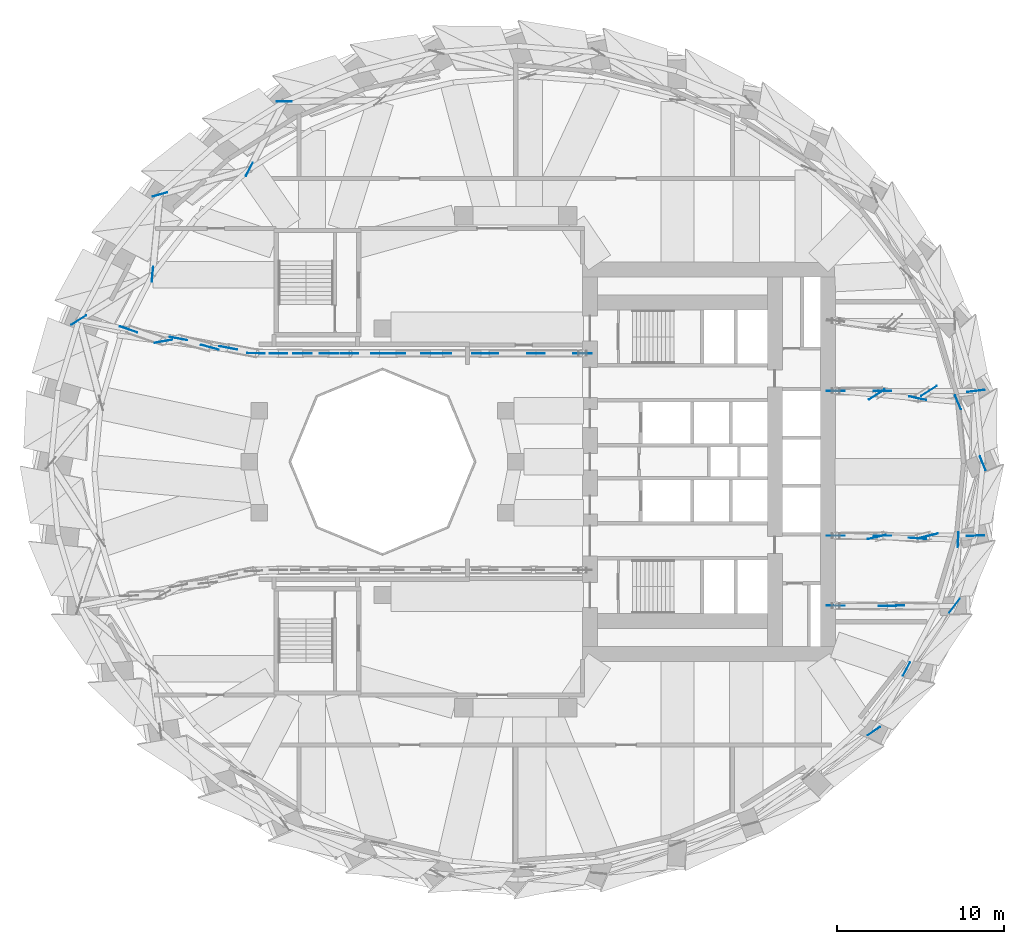
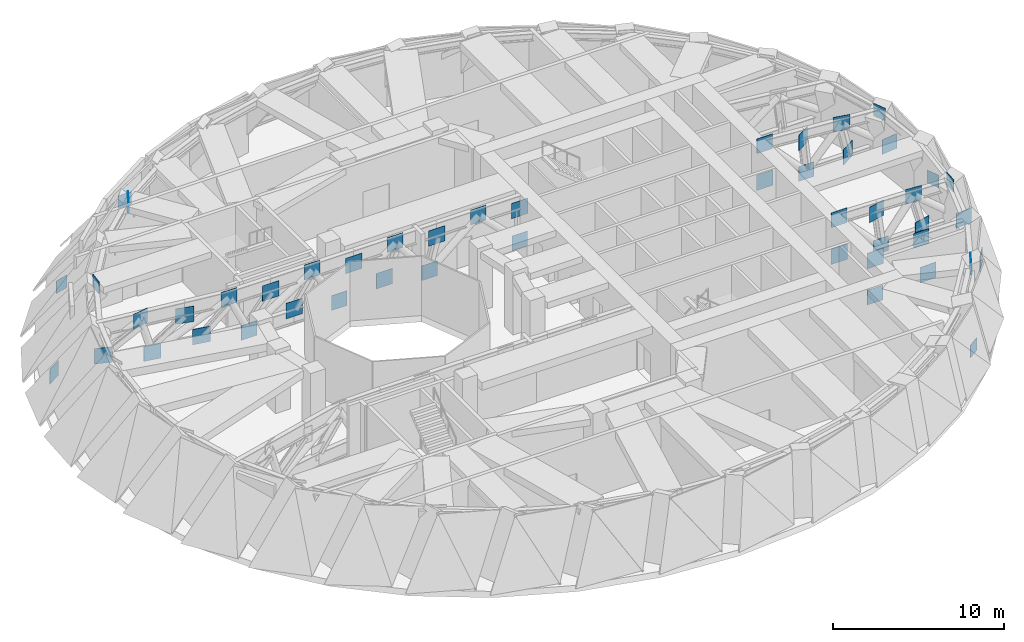
# One storey, part 11 of 15: 48 discrete accessories.
"""IFC4 building model written with IfcOpenShell, lengths in metres."""

import ifcopenshell
import ifcopenshell.guid

model = None  # the IFC model being written
_history = None  # IfcOwnerHistory: only IFC2X3 demands one
_inside = {}  # id of a spatial element -> (the spatial element, [elements in it])
_under = {}  # id of a project, library or spatial element -> (it, [spatial elements below it])
_declared = {}  # id of a project -> (the project, [libraries it declares])
_typed = {}  # id of a type object -> (the type object, [elements of that type])
_made_of = {}  # id of a material, layer set ... -> (it, [elements and type objects made of it])


def new_model(schema):
    """Start an empty IFC model of exactly this schema.

    Asked for "IFC4X3", IfcOpenShell would pick the latest addendum, in which some entities
    have other attributes; the version numbers below select the first issue.
    IFC2X3 requires an IfcOwnerHistory on every rooted entity: one is made here for all.
    """
    global model, _history
    if schema == "IFC4X3":
        model = ifcopenshell.file(schema_version=(4, 3, 0, 0))
    else:
        model = ifcopenshell.file(schema=schema)
    _inside.clear()
    _under.clear()
    _declared.clear()
    _typed.clear()
    _made_of.clear()
    _history = None
    if model.schema == "IFC2X3":
        org = make("IfcOrganization", Name="unknown")
        user = make(
            "IfcPersonAndOrganization",
            ThePerson=make("IfcPerson", FamilyName="unknown"),
            TheOrganization=org,
        )
        app = make(
            "IfcApplication",
            ApplicationDeveloper=org,
            Version="unknown",
            ApplicationFullName="unknown",
            ApplicationIdentifier="unknown",
        )
        _history = make(
            "IfcOwnerHistory",
            OwningUser=user,
            OwningApplication=app,
            ChangeAction="ADDED",
            CreationDate=0,
        )
    return model


def make(cls, **values):
    """One entity of the class cls with the attributes given. An attribute that is None is left unset."""
    return model.create_entity(
        cls, **{name: value for name, value in values.items() if value is not None}
    )


def rooted(cls, **values):
    """An entity with a GlobalId (a new one), such as an element, a storey or a relation."""
    return make(cls, GlobalId=ifcopenshell.guid.new(), OwnerHistory=_history, **values)


def si_unit(unit_type, name, prefix=None):
    """IfcSIUnit, for example si_unit("LENGTHUNIT", "METRE", prefix="MILLI")."""
    return make("IfcSIUnit", UnitType=unit_type, Prefix=prefix, Name=name)


def assignment(units):
    """IfcUnitAssignment: the units of a project."""
    return None if units is None else make("IfcUnitAssignment", Units=units)


def point(xyz):
    """IfcCartesianPoint."""
    return None if xyz is None else make("IfcCartesianPoint", Coordinates=xyz)


def direction(xyz):
    """IfcDirection."""
    return None if xyz is None else make("IfcDirection", DirectionRatios=xyz)


def frame(location, z_axis=None, x_axis=None):
    """IfcAxis2Placement3D, a coordinate frame: its origin and axes. An axis left out is left unset."""
    return make(
        "IfcAxis2Placement3D",
        Location=point(location),
        Axis=direction(z_axis),
        RefDirection=direction(x_axis),
    )


def frame_2d(location, x_axis=None):
    """IfcAxis2Placement2D, a coordinate frame in the plane: its origin and x axis."""
    return make(
        "IfcAxis2Placement2D", Location=point(location), RefDirection=direction(x_axis)
    )


def origin():
    """The frame at (0, 0, 0) with its axes left unset."""
    return frame((0.0, 0.0, 0.0))


def origin_2d():
    """The frame at (0, 0) in the plane with its x axis left unset."""
    return frame_2d((0.0, 0.0))


def place(relative_to, where):
    """IfcLocalPlacement: puts the frame where relative to a parent placement (None: the world)."""
    return make(
        "IfcLocalPlacement", PlacementRelTo=relative_to, RelativePlacement=where
    )


def context(
    kind, dimensions, precision=None, world=None, true_north=None, identifier=None
):
    """IfcGeometricRepresentationContext, for example the 3D "Model" context."""
    return make(
        "IfcGeometricRepresentationContext",
        ContextIdentifier=identifier,
        ContextType=kind,
        CoordinateSpaceDimension=dimensions,
        Precision=precision,
        WorldCoordinateSystem=world,
        TrueNorth=true_north,
    )


def subcontext(parent, identifier, kind, view, scale=None):
    """IfcGeometricRepresentationSubContext, for example "Body" below "Model"."""
    return make(
        "IfcGeometricRepresentationSubContext",
        ContextIdentifier=identifier,
        ContextType=kind,
        ParentContext=parent,
        TargetScale=scale,
        TargetView=view,
    )


def project(units=None, contexts=None):
    """IfcProject with its units and contexts."""
    return rooted(
        "IfcProject",
        Name="project",
        RepresentationContexts=contexts,
        UnitsInContext=assignment(units),
    )


def spatial(cls, under=None, at=None, **own):
    """A site, building, storey or space (cls), placed at a placement, below another one or the project."""
    s = rooted(cls, ObjectPlacement=at, **own)
    if under is not None:
        _under.setdefault(under.id(), (under, []))[1].append(s)
    return s


def profile(cls, at=None, kind="AREA", **sizes):
    """A parametric profile (cls). Its sizes go by their IFC names, for example OverallWidth=200.0."""
    return make(cls, ProfileType=kind, Position=at, **sizes)


def rectangle(**sizes):
    """IfcRectangleProfileDef."""
    return profile("IfcRectangleProfileDef", **sizes)


def extrude(swept, where, along, depth):
    """IfcExtrudedAreaSolid: the profile swept, set in the frame where, extruded along a direction by depth."""
    return make(
        "IfcExtrudedAreaSolid",
        SweptArea=swept,
        Position=where,
        ExtrudedDirection=direction(along),
        Depth=depth,
    )


def shape(context_of_items, identifier, shape_type, items):
    """IfcShapeRepresentation: the items that make up one representation, for example the "Body"."""
    return make(
        "IfcShapeRepresentation",
        ContextOfItems=context_of_items,
        RepresentationIdentifier=identifier,
        RepresentationType=shape_type,
        Items=items,
    )


def material(Name=None, Category=None):
    """IfcMaterial."""
    return make("IfcMaterial", Name=Name, Category=Category)


def made_of(thing, what):
    """Note that an element or type object is made of a material, layer set ...; save() writes the relation."""
    if what is not None:
        _made_of.setdefault(what.id(), (what, []))[1].append(thing)
    return thing


def type_object(cls, material=None, **own):
    """A type object (cls), such as IfcWallType, which elements share."""
    return made_of(rooted(cls, **own), material)


def element(
    cls,
    number,
    at=None,
    inside=None,
    cuts=None,
    type_object=None,
    material=None,
    context=None,
    identifier="Body",
    shape_type=None,
    held_by="IfcProductDefinitionShape",
    body=None,
    shapes=None,
    **own,
):
    """One element of the class cls, such as IfcWall. Its Tag is "e" and its number.

    at: its placement. inside: the storey or other place that contains it. cuts: it is an
    opening in that element (IfcRelVoidsElement). A single representation is given by context,
    identifier, shape_type and body (its items); several are given by shapes. held_by: the class
    of the entity that holds the representations. save() writes the other relations.
    """
    e = rooted(cls, Tag="e%d" % number, ObjectPlacement=at, **own)
    if body is not None:
        shapes = [shape(context, identifier, shape_type, body)]
    if shapes is not None:
        e.Representation = make(held_by, Representations=shapes)
    if inside is not None:
        _inside.setdefault(inside.id(), (inside, []))[1].append(e)
    if cuts is not None:
        rooted(
            "IfcRelVoidsElement", RelatingBuildingElement=cuts, RelatedOpeningElement=e
        )
    if type_object is not None:
        _typed.setdefault(type_object.id(), (type_object, []))[1].append(e)
    return made_of(e, material)


def aggregate(whole, parts):
    """IfcRelAggregates: a whole, such as a stair, and the parts it consists of."""
    return rooted("IfcRelAggregates", RelatingObject=whole, RelatedObjects=parts)


def save(model, path):
    """Write the relations noted so far, then the file.

    IfcRelAggregates (storeys below a building ...), IfcRelContainedInSpatialStructure (elements
    in a storey), IfcRelDefinesByType, IfcRelAssociatesMaterial and IfcRelDeclares: one each for
    every whole, place, type object, material and project.
    """
    for whole, parts in _under.values():
        aggregate(whole, parts)
    for where, things in _inside.values():
        rooted(
            "IfcRelContainedInSpatialStructure",
            RelatedElements=things,
            RelatingStructure=where,
        )
    for kind, things in _typed.values():
        rooted("IfcRelDefinesByType", RelatedObjects=things, RelatingType=kind)
    for what, things in _made_of.values():
        rooted("IfcRelAssociatesMaterial", RelatedObjects=things, RelatingMaterial=what)
    for by, libraries in _declared.values():
        rooted("IfcRelDeclares", RelatingContext=by, RelatedDefinitions=libraries)
    model.write(path)


model = new_model("IFC4")

# Units and contexts
model_context = context("Model", 3, precision=1e-05, world=origin(), true_north=direction((0.0, 1.0)))
body_context = subcontext(model_context, "Body", "Model", "MODEL_VIEW")
ifc_project = project(units=[si_unit("LENGTHUNIT", "METRE"), si_unit("AREAUNIT", "SQUARE_METRE"), si_unit("VOLUMEUNIT", "CUBIC_METRE"), si_unit("PLANEANGLEUNIT", "RADIAN"), si_unit("MASSUNIT", "GRAM", prefix="KILO")], contexts=[model_context])

# Site, building, storey
site_placement = place(None, origin())
site = spatial("IfcSite", under=ifc_project, at=site_placement, CompositionType="ELEMENT")
building_placement = place(site_placement, origin())
building = spatial("IfcBuilding", under=site, at=building_placement, Name="Taillehof Tower", CompositionType="ELEMENT")
storey_placement = place(building_placement, frame((0.0, 0.0, 84.39990234375)))
storey = spatial("IfcBuildingStorey", under=building, at=storey_placement, Name="L23", CompositionType="ELEMENT", Elevation=84.39990234375)

# Discrete accessories
ifc_material = material(Name="Steel S460M", Category="steel")
discrete_accessory_type = type_object("IfcDiscreteAccessoryType", Name="Steel gusset plate", PredefinedType="BRACKET", material=ifc_material)
discrete_accessory_1_placement = place(storey_placement, frame((-26.219970703125, 8.5, 0.375), z_axis=(0.0, 0.0, 1.0), x_axis=(-0.849617583575, -0.527399243154, 0.0)))
element("IfcDiscreteAccessory", 1, at=discrete_accessory_1_placement, inside=storey, type_object=discrete_accessory_type, Name="Gusset plate 074", PredefinedType="BRACKET", context=body_context, shape_type="SweptSolid", body=[
    extrude(rectangle(XDim=1.050048828125, YDim=0.02490234375, at=origin_2d()), origin(), (0.0, 0.0, 1.0), 1.050048828125),
])
for number, where, z_axis, x_axis, name in (
    (2, (-21.800048828125, 11.25, 3.51025390625), (0.0, 0.0, 1.0), (-0.093884162674, -0.995583127619, 0.0), "Gusset plate 079"),
    (3, (-21.35009765625, 16.0400390625, 0.4501953125), (0.0, 0.0, 1.0), (-0.962259801424, -0.272132457755, 0.0), "Gusset plate 080"),
):
    element("IfcDiscreteAccessory", number, at=place(storey_placement, frame(where, z_axis=z_axis, x_axis=x_axis)), inside=storey, type_object=discrete_accessory_type, Name=name, PredefinedType="BRACKET", context=body_context, shape_type="SweptSolid", body=[
        extrude(rectangle(XDim=0.89990234375, YDim=0.02490234375, at=origin_2d()), origin(), (0.0, 0.0, 1.0), 0.89990234375),
    ])
for number, where, z_axis, x_axis, name in (
    (4, (-21.139892578125, 7.22998046875, 3.1953125), (0.0, 0.0, 1.0), (-0.984506546592, -0.175347824955, 0.0), "Gusset plate 083"),
    (5, (-20.239990234375, 7.389892578125, 0.375), (0.0, 0.0, 1.0), (-0.982765737047, 0.184855365319, 0.0), "Gusset plate 085"),
):
    element("IfcDiscreteAccessory", number, at=place(storey_placement, frame(where, z_axis=z_axis, x_axis=x_axis)), inside=storey, type_object=discrete_accessory_type, Name=name, PredefinedType="BRACKET", context=body_context, shape_type="SweptSolid", body=[
        extrude(rectangle(XDim=1.050048828125, YDim=0.02490234375, at=origin_2d()), origin(), (0.0, 0.0, 1.0), 1.050048828125),
    ])
discrete_accessory_2_placement = place(storey_placement, frame((-15.989990234375, 17.550048828125, 3.51025390625), z_axis=(0.0, 0.0, 1.0), x_axis=(-0.458537883928, -0.888674861241, 0.0)))
element("IfcDiscreteAccessory", 6, at=discrete_accessory_2_placement, inside=storey, type_object=discrete_accessory_type, Name="Gusset plate 087", PredefinedType="BRACKET", context=body_context, shape_type="SweptSolid", body=[
    extrude(rectangle(XDim=0.89990234375, YDim=0.02490234375, at=origin_2d()), origin(), (0.0, 0.0, 1.0), 0.89990234375),
])
for number, where, z_axis, x_axis, name in (
    (7, (-15.590087890625, 6.510009765625, 3.1953125), (0.0, 0.0, 1.0), (-0.999964512389, 0.008424604642, 0.0), "Gusset plate 089"),
    (8, (-14.239990234375, 6.5, 0.375), (0.0, 0.0, 1.0), (-1.0, 0.0, 0.0), "Gusset plate 091"),
):
    element("IfcDiscreteAccessory", number, at=place(storey_placement, frame(where, z_axis=z_axis, x_axis=x_axis)), inside=storey, type_object=discrete_accessory_type, Name=name, PredefinedType="BRACKET", context=body_context, shape_type="SweptSolid", body=[
        extrude(rectangle(XDim=1.050048828125, YDim=0.02490234375, at=origin_2d()), origin(), (0.0, 0.0, 1.0), 1.050048828125),
    ])
discrete_accessory_3_placement = place(storey_placement, frame((-13.889892578125, 21.6201171875, 0.4501953125), z_axis=(0.0, 0.0, 1.0), x_axis=(-0.999941339733, -0.010831301544, 0.0)))
element("IfcDiscreteAccessory", 9, at=discrete_accessory_3_placement, inside=storey, type_object=discrete_accessory_type, Name="Gusset plate 092", PredefinedType="BRACKET", context=body_context, shape_type="SweptSolid", body=[
    extrude(rectangle(XDim=0.89990234375, YDim=0.02490234375, at=origin_2d()), origin(), (0.0, 0.0, 1.0), 0.89990234375),
])
for number, where, z_axis, x_axis, name in (
    (10, (-9.989990234375, 6.5, 3.1953125), (0.0, 0.0, 1.0), (-1.0, 0.0, 0.0), "Gusset plate 095"),
    (11, (-8.159912109375, 6.5, 0.375), (0.0, 0.0, 1.0), (-1.0, 0.0, 0.0), "Gusset plate 098"),
    (12, (-4.39990234375, 6.5, 3.1953125), (0.0, 0.0, 1.0), (-1.0, 0.0, 0.0), "Gusset plate 103"),
    (13, (-2.080078125, 6.5, 0.375), (0.0, 0.0, 1.0), (-1.0, 0.0, 0.0), "Gusset plate 105"),
    (14, (1.199951171875, 6.5, 3.1953125), (0.0, 0.0, 1.0), (-1.0, 0.0, 0.0), "Gusset plate 109"),
    (15, (4.0, 6.5, 0.375), (0.0, 0.0, 1.0), (-1.0, 0.0, 0.0), "Gusset plate 111"),
    (16, (19.199951171875, -8.639892578125, 0.375), (0.0, 0.0, 1.0), (0.999980697065, -0.006213332158, 0.0), "Gusset plate 120"),
    (17, (19.199951171875, -4.43994140625, 3.3349609375), (0.0, 0.0, 1.0), (1.0, 0.0, 0.0), "Gusset plate 121"),
    (18, (19.199951171875, 4.25, 3.3349609375), (0.0, 0.0, 1.0), (1.0, 0.0, 0.0), "Gusset plate 122"),
):
    element("IfcDiscreteAccessory", number, at=place(storey_placement, frame(where, z_axis=z_axis, x_axis=x_axis)), inside=storey, type_object=discrete_accessory_type, Name=name, PredefinedType="BRACKET", context=body_context, shape_type="SweptSolid", body=[
        extrude(rectangle(XDim=1.050048828125, YDim=0.02490234375, at=origin_2d()), origin(), (0.0, 0.0, 1.0), 1.050048828125),
    ])
discrete_accessory_4_placement = place(storey_placement, frame((21.489990234375, -16.159912109375, 0.4501953125), z_axis=(0.0, 0.0, 1.0), x_axis=(0.829081488906, 0.559127789287, 0.0)))
element("IfcDiscreteAccessory", 19, at=discrete_accessory_4_placement, inside=storey, type_object=discrete_accessory_type, Name="Gusset plate 124", PredefinedType="BRACKET", context=body_context, shape_type="SweptSolid", body=[
    extrude(rectangle(XDim=0.89990234375, YDim=0.02490234375, at=origin_2d()), origin(), (0.0, 0.0, 1.0), 0.89990234375),
])
for number, where, z_axis, x_axis, name in (
    (20, (22.0, -4.43994140625, 0.375), (0.0, 0.0, 1.0), (1.0, 0.0, 0.0), "Gusset plate 126"),
    (21, (22.0, 4.25, 0.375), (0.0, 0.0, 1.0), (1.0, 0.0, 0.0), "Gusset plate 127"),
    (22, (22.300048828125, -8.659912109375, 3.3349609375), (0.0, 0.0, 1.0), (0.999980697065, -0.006213332158, 0.0), "Gusset plate 129"),
):
    element("IfcDiscreteAccessory", number, at=place(storey_placement, frame(where, z_axis=z_axis, x_axis=x_axis)), inside=storey, type_object=discrete_accessory_type, Name=name, PredefinedType="BRACKET", context=body_context, shape_type="SweptSolid", body=[
        extrude(rectangle(XDim=1.050048828125, YDim=0.02490234375, at=origin_2d()), origin(), (0.0, 0.0, 1.0), 1.050048828125),
    ])
discrete_accessory_5_placement = place(storey_placement, frame((23.449951171875, -12.43994140625, 3.51025390625), z_axis=(0.0, 0.0, 1.0), x_axis=(0.468033156015, 0.88371090571, 0.0)))
element("IfcDiscreteAccessory", 23, at=discrete_accessory_5_placement, inside=storey, type_object=discrete_accessory_type, Name="Gusset plate 131", PredefinedType="BRACKET", context=body_context, shape_type="SweptSolid", body=[
    extrude(rectangle(XDim=0.89990234375, YDim=0.02490234375, at=origin_2d()), origin(), (0.0, 0.0, 1.0), 0.89990234375),
])
for number, where, z_axis, x_axis, name in (
    (24, (24.1201171875, -4.60009765625, 3.3349609375), (0.0, 0.0, 1.0), (0.997217363917, -0.074548837026, 0.0), "Gusset plate 132"),
    (25, (24.1201171875, 3.81005859375, 3.3349609375), (0.0, 0.0, 1.0), (0.978908057461, -0.204301284964, 0.0), "Gusset plate 133"),
    (26, (26.330078125, -8.639892578125, 0.375), (0.0, 0.0, 1.0), (0.604632479299, 0.796504591937, 0.0), "Gusset plate 134"),
):
    element("IfcDiscreteAccessory", number, at=place(storey_placement, frame(where, z_axis=z_axis, x_axis=x_axis)), inside=storey, type_object=discrete_accessory_type, Name=name, PredefinedType="BRACKET", context=body_context, shape_type="SweptSolid", body=[
        extrude(rectangle(XDim=1.050048828125, YDim=0.02490234375, at=origin_2d()), origin(), (0.0, 0.0, 1.0), 1.050048828125),
    ])
for number, where, z_axis, x_axis, name in (
    (27, (26.5400390625, 3.56005859375, 3.51025390625), (0.0, 0.0, 1.0), (-0.375798926871, 0.926701228316, 0.0), "Gusset plate 136"),
    (28, (26.550048828125, -4.679931640625, 3.51025390625), (0.0, 0.0, 1.0), (0.055354479994, 0.998466765368, 0.0), "Gusset plate 137"),
):
    element("IfcDiscreteAccessory", number, at=place(storey_placement, frame(where, z_axis=z_axis, x_axis=x_axis)), inside=storey, type_object=discrete_accessory_type, Name=name, PredefinedType="BRACKET", context=body_context, shape_type="SweptSolid", body=[
        extrude(rectangle(XDim=0.89990234375, YDim=0.02490234375, at=origin_2d()), origin(), (0.0, 0.0, 1.0), 0.89990234375),
    ])
for number, where, z_axis, x_axis, name in (
    (29, (27.60009765625, -4.43994140625, 0.375), (0.0, 0.0, 1.0), (0.998955392175, 0.045696000321, 0.0), "Gusset plate 138"),
    (30, (27.610107421875, 4.25, 0.375), (0.0, 0.0, 1.0), (0.992093468564, 0.125501193748, 0.0), "Gusset plate 139"),
):
    element("IfcDiscreteAccessory", number, at=place(storey_placement, frame(where, z_axis=z_axis, x_axis=x_axis)), inside=storey, type_object=discrete_accessory_type, Name=name, PredefinedType="BRACKET", context=body_context, shape_type="SweptSolid", body=[
        extrude(rectangle(XDim=1.050048828125, YDim=0.02490234375, at=origin_2d()), origin(), (0.0, 0.0, 1.0), 1.050048828125),
    ])
discrete_accessory_6_placement = place(storey_placement, frame((28.030029296875, -0.10009765625, 0.4501953125), z_axis=(0.0, 0.0, 1.0), x_axis=(-0.375798926871, 0.926701228316, 0.0)))
element("IfcDiscreteAccessory", 31, at=discrete_accessory_6_placement, inside=storey, type_object=discrete_accessory_type, Name="Gusset plate 140", PredefinedType="BRACKET", context=body_context, shape_type="SweptSolid", body=[
    extrude(rectangle(XDim=0.89990234375, YDim=0.02490234375, at=origin_2d()), origin(), (0.0, 0.0, 1.0), 0.89990234375),
])
for number, where, z_axis, x_axis, name in (
    (32, (19.199951171875, 4.25, 0.7099609375), (0.0, 0.0, 1.0), (1.0, 0.0, 0.0), "Gusset plate 429"),
    (33, (21.659912109375, 4.030029296875, 2.949951171875), (0.0, 0.0, 1.0), (-0.841376864695, -0.540448861184, 0.0), "Gusset plate 430"),
    (34, (24.800048828125, 4.25, 0.7099609375), (0.0, 0.0, 1.0), (-0.841372148357, -0.540456203562, 0.0), "Gusset plate 431"),
    (35, (19.199951171875, -8.639892578125, 2.949951171875), (0.0, 0.0, 1.0), (1.0, 0.0, 0.0), "Gusset plate 434"),
    (36, (22.77001953125, -8.639892578125, 0.7099609375), (0.0, 0.0, 1.0), (-0.999134049377, -0.041607107281, 0.0), "Gusset plate 435"),
    (37, (19.199951171875, -4.43994140625, 0.7099609375), (0.0, 0.0, 1.0), (1.0, 0.0, 0.0), "Gusset plate 436"),
    (38, (21.659912109375, -4.52001953125, 2.949951171875), (0.0, 0.0, 1.0), (-0.973326028227, -0.229426334095, 0.0), "Gusset plate 437"),
    (39, (24.800048828125, -4.43994140625, 0.7099609375), (0.0, 0.0, 1.0), (-0.973322023834, -0.229443321804, 0.0), "Gusset plate 438"),
    (40, (4.0, 6.5, 2.66015625), (0.0, 0.0, 1.0), (1.0, 0.0, 0.0), "Gusset plate 439"),
    (41, (-1.60009765625, 6.5, 2.66015625), (0.0, 0.0, 1.0), (1.0, 0.0, 0.0), "Gusset plate 440"),
    (42, (-5.1201171875, 6.5, 0.85009765625), (0.0, 0.0, 1.0), (1.0, 0.0, 0.0), "Gusset plate 441"),
    (43, (-7.18994140625, 6.5, 2.66015625), (0.0, 0.0, 1.0), (1.0, 0.0, 0.0), "Gusset plate 442"),
    (44, (-11.199951171875, 6.5, 0.85009765625), (0.0, 0.0, 1.0), (1.0, 0.0, 0.0), "Gusset plate 443"),
    (45, (-12.7900390625, 6.5, 2.66015625), (0.0, 0.0, 1.0), (1.0, 0.0, 0.0), "Gusset plate 444"),
    (46, (-17.25, 6.830078125, 0.85009765625), (0.0, 0.0, 1.0), (0.982409681113, -0.186738368995, 0.0), "Gusset plate 445"),
    (47, (-18.360107421875, 6.8701171875, 2.66015625), (0.0, 0.0, 1.0), (0.963963656672, -0.266033961395, 0.0), "Gusset plate 446"),
    (48, (-23.22998046875, 7.93994140625, 0.85009765625), (0.0, 0.0, 1.0), (0.945506073983, -0.325604459524, 0.0), "Gusset plate 447"),
):
    element("IfcDiscreteAccessory", number, at=place(storey_placement, frame(where, z_axis=z_axis, x_axis=x_axis)), inside=storey, type_object=discrete_accessory_type, Name=name, PredefinedType="BRACKET", context=body_context, shape_type="SweptSolid", body=[
        extrude(rectangle(XDim=1.10009765625, YDim=0.02490234375, at=origin_2d()), origin(), (0.0, 0.0, 1.0), 1.10009765625),
    ])

save(model, "model.ifc")
